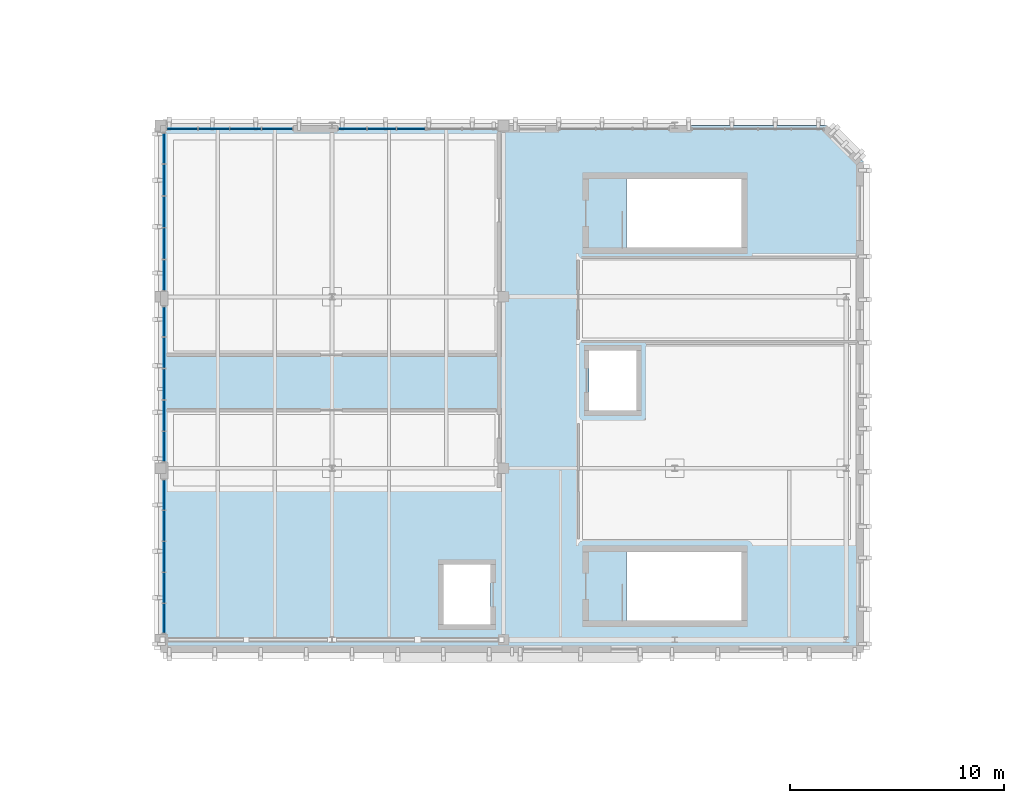
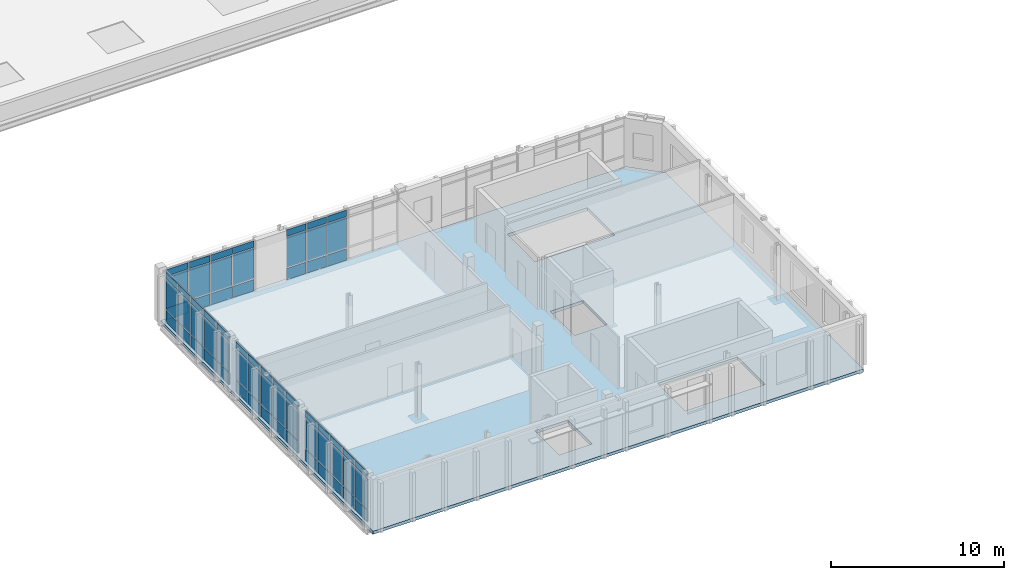
# One storey, part 13 of 28: 66 plates, 1 slab, 5 elements without a shape of their own.
"""IFC4 building model written with IfcOpenShell, lengths in metres."""

from ifc_helpers import new_model, si_unit, direction, frame, origin, origin_2d, place, context, subcontext, project, spatial, polyline, rectangle, outline, extrude, material, layer, layer_set, type_object, element, aggregate, save


model = new_model("IFC4")

# Units and contexts
model_context = context("Model", 3, precision=1e-05, world=origin(), true_north=direction((0.0, 1.0)))
body_context = subcontext(model_context, "Body", "Model", "MODEL_VIEW")
ifc_project = project(units=[si_unit("LENGTHUNIT", "METRE"), si_unit("AREAUNIT", "SQUARE_METRE"), si_unit("VOLUMEUNIT", "CUBIC_METRE"), si_unit("PLANEANGLEUNIT", "RADIAN"), si_unit("MASSUNIT", "GRAM", prefix="KILO")], contexts=[model_context])

# Site, building, storey
site_placement = place(None, origin())
site = spatial("IfcSite", under=ifc_project, at=site_placement, CompositionType="ELEMENT")
building_placement = place(site_placement, origin())
building = spatial("IfcBuilding", under=site, at=building_placement, Name="Cymarion Research Institute", CompositionType="ELEMENT")
storey_placement = place(building_placement, frame((0.0, 0.0, 30.60009765625)))
storey = spatial("IfcBuildingStorey", under=building, at=storey_placement, Name="L07", CompositionType="ELEMENT", Elevation=30.60009765625)

# Slab
ifc_material_1 = material(Name="Concrete C35/45", Category="concrete")
ifc_layer_1 = layer(ifc_material_1, 0.219970703125)
ifc_layer_set_1 = layer_set([ifc_layer_1], Name="Concrete C35/45")
slab_type = type_object("IfcSlabType", Name="COMPOSITE FLOOR SLAB SL-FL220 220MM", PredefinedType="FLOOR", material=ifc_layer_set_1)
slab_placement = place(storey_placement, frame((0.0, 0.0, -0.22021484375)))
element("IfcSlab", 1, at=slab_placement, inside=storey, type_object=slab_type, Name="L07 V4 floor slab", PredefinedType="FLOOR", context=body_context, shape_type="SweptSolid", body=[
    extrude(outline(polyline([(14.60009765625, 46.89990234375), (47.39990234375, 46.89990234375), (47.39990234375, 69.800048828125), (45.699951171875, 71.5), (14.60009765625, 71.5), (14.60009765625, 46.89990234375)]), holes=[polyline([(36.340087890625, 48.39990234375), (41.699951171875, 48.39990234375), (41.699951171875, 51.60009765625), (36.340087890625, 51.60009765625), (36.340087890625, 48.39990234375)]), polyline([(27.800048828125, 48.199951171875), (30.0, 48.199951171875), (30.0, 51.0), (27.800048828125, 51.0), (27.800048828125, 48.199951171875)]), polyline([(36.340087890625, 65.800048828125), (41.699951171875, 65.800048828125), (41.699951171875, 69.0), (36.340087890625, 69.0), (36.340087890625, 65.800048828125)]), polyline([(34.60009765625, 58.199951171875), (36.800048828125, 58.199951171875), (36.800048828125, 61.0), (34.60009765625, 61.0), (34.60009765625, 58.199951171875)])]), origin(), (0.0, 0.0, 1.0), 0.22021484375),
])

# Curtain wall, plates
ifc_material_2 = material(Name="Anodised aluminium unitised curtain wall with Low-E glazing", Category="aluminium")
curtain_wall_type_1 = type_object("IfcCurtainWallType", Name="UNITISED CURTAIN WALL CW73 4130X3660", PredefinedType="NOTDEFINED", material=ifc_material_2)
curtain_wall_1_placement = place(storey_placement, origin())
curtain_wall_1 = element("IfcCurtainWall", 2, at=curtain_wall_1_placement, inside=storey, type_object=curtain_wall_type_1, Name="L07 V4 unitised curtain wall CW73 #238", PredefinedType="NOTDEFINED")
ifc_material_3 = material(Name="Insulated anodised aluminium spandrel panel", Category="aluminium")
ifc_layer_2 = layer(ifc_material_3, 0.06005859375)
ifc_layer_set_2 = layer_set([ifc_layer_2], Name="Insulated anodised aluminium spandrel panel")
plate_type_1 = type_object("IfcPlateType", Name="INSULATED ALUMINIUM SPANDREL PANEL SP01 60MM", PredefinedType="SHEET", material=ifc_layer_set_2)
plate_1_placement = place(storey_placement, frame((26.287353515625, 71.330078125, 0.059814453125), z_axis=(0.0, 0.0, 1.0), x_axis=(-1.0, 0.0, 0.0)))
plate_1 = element("IfcPlate", 3, at=plate_1_placement, type_object=plate_type_1, Name="CW73 panel 1.1", PredefinedType="SHEET", context=body_context, shape_type="SweptSolid", body=[
    extrude(rectangle(XDim=1.286865234375, YDim=0.06005859375, at=origin_2d()), origin(), (0.0, 0.0, 1.0), 0.81005859375),
])
plate_2_placement = place(storey_placement, frame((26.287353515625, 71.330078125, 3.139892578125), z_axis=(0.0, 0.0, 1.0), x_axis=(-1.0, 0.0, 0.0)))
plate_2 = element("IfcPlate", 4, at=plate_2_placement, type_object=plate_type_1, Name="CW73 panel 1.3", PredefinedType="SHEET", context=body_context, shape_type="SweptSolid", body=[
    extrude(rectangle(XDim=1.286865234375, YDim=0.06005859375, at=origin_2d()), origin(), (0.0, 0.0, 1.0), 0.4599609375),
])
plate_3_placement = place(storey_placement, frame((24.925537109375, 71.330078125, 0.059814453125), z_axis=(0.0, 0.0, 1.0), x_axis=(-1.0, 0.0, 0.0)))
plate_3 = element("IfcPlate", 5, at=plate_3_placement, type_object=plate_type_1, Name="CW73 panel 2.1", PredefinedType="SHEET", context=body_context, shape_type="SweptSolid", body=[
    extrude(rectangle(XDim=1.31689453125, YDim=0.06005859375, at=origin_2d()), origin(), (0.0, 0.0, 1.0), 0.81005859375),
])
plate_4_placement = place(storey_placement, frame((24.925537109375, 71.330078125, 3.139892578125), z_axis=(0.0, 0.0, 1.0), x_axis=(-1.0, 0.0, 0.0)))
plate_4 = element("IfcPlate", 6, at=plate_4_placement, type_object=plate_type_1, Name="CW73 panel 2.3", PredefinedType="SHEET", context=body_context, shape_type="SweptSolid", body=[
    extrude(rectangle(XDim=1.31689453125, YDim=0.06005859375, at=origin_2d()), origin(), (0.0, 0.0, 1.0), 0.4599609375),
])
plate_5_placement = place(storey_placement, frame((23.5634765625, 71.330078125, 0.059814453125), z_axis=(0.0, 0.0, 1.0), x_axis=(-1.0, 0.0, 0.0)))
plate_5 = element("IfcPlate", 7, at=plate_5_placement, type_object=plate_type_1, Name="CW73 panel 3.1", PredefinedType="SHEET", context=body_context, shape_type="SweptSolid", body=[
    extrude(rectangle(XDim=1.286865234375, YDim=0.06005859375, at=origin_2d()), origin(), (0.0, 0.0, 1.0), 0.81005859375),
])
plate_6_placement = place(storey_placement, frame((23.5634765625, 71.330078125, 3.139892578125), z_axis=(0.0, 0.0, 1.0), x_axis=(-1.0, 0.0, 0.0)))
plate_6 = element("IfcPlate", 8, at=plate_6_placement, type_object=plate_type_1, Name="CW73 panel 3.3", PredefinedType="SHEET", context=body_context, shape_type="SweptSolid", body=[
    extrude(rectangle(XDim=1.286865234375, YDim=0.06005859375, at=origin_2d()), origin(), (0.0, 0.0, 1.0), 0.4599609375),
])

curtain_wall_type_2 = type_object("IfcCurtainWallType", Name="UNITISED CURTAIN WALL CW74 5930X3660", PredefinedType="NOTDEFINED", material=ifc_material_2)
curtain_wall_2_placement = place(storey_placement, origin())
curtain_wall_2 = element("IfcCurtainWall", 9, at=curtain_wall_2_placement, inside=storey, type_object=curtain_wall_type_2, Name="L07 V4 unitised curtain wall CW74 #239", PredefinedType="NOTDEFINED")
plate_7_placement = place(storey_placement, frame((20.03857421875, 71.330078125, 0.059814453125), z_axis=(0.0, 0.0, 1.0), x_axis=(-1.0, 0.0, 0.0)))
plate_7 = element("IfcPlate", 10, at=plate_7_placement, type_object=plate_type_1, Name="CW74 panel 1.1", PredefinedType="SHEET", context=body_context, shape_type="SweptSolid", body=[
    extrude(rectangle(XDim=1.393798828125, YDim=0.06005859375, at=origin_2d()), origin(), (0.0, 0.0, 1.0), 0.81005859375),
])
plate_8_placement = place(storey_placement, frame((20.03857421875, 71.330078125, 3.139892578125), z_axis=(0.0, 0.0, 1.0), x_axis=(-1.0, 0.0, 0.0)))
plate_8 = element("IfcPlate", 11, at=plate_8_placement, type_object=plate_type_1, Name="CW74 panel 1.3", PredefinedType="SHEET", context=body_context, shape_type="SweptSolid", body=[
    extrude(rectangle(XDim=1.393798828125, YDim=0.06005859375, at=origin_2d()), origin(), (0.0, 0.0, 1.0), 0.4599609375),
])
plate_9_placement = place(storey_placement, frame((18.569580078125, 71.330078125, 0.059814453125), z_axis=(0.0, 0.0, 1.0), x_axis=(-1.0, 0.0, 0.0)))
plate_9 = element("IfcPlate", 12, at=plate_9_placement, type_object=plate_type_1, Name="CW74 panel 2.1", PredefinedType="SHEET", context=body_context, shape_type="SweptSolid", body=[
    extrude(rectangle(XDim=1.423828125, YDim=0.06005859375, at=origin_2d()), origin(), (0.0, 0.0, 1.0), 0.81005859375),
])
plate_10_placement = place(storey_placement, frame((18.569580078125, 71.330078125, 3.139892578125), z_axis=(0.0, 0.0, 1.0), x_axis=(-1.0, 0.0, 0.0)))
plate_10 = element("IfcPlate", 13, at=plate_10_placement, type_object=plate_type_1, Name="CW74 panel 2.3", PredefinedType="SHEET", context=body_context, shape_type="SweptSolid", body=[
    extrude(rectangle(XDim=1.423828125, YDim=0.06005859375, at=origin_2d()), origin(), (0.0, 0.0, 1.0), 0.4599609375),
])
plate_11_placement = place(storey_placement, frame((17.085693359375, 71.330078125, 0.059814453125), z_axis=(0.0, 0.0, 1.0), x_axis=(-1.0, 0.0, 0.0)))
plate_11 = element("IfcPlate", 14, at=plate_11_placement, type_object=plate_type_1, Name="CW74 panel 3.1", PredefinedType="SHEET", context=body_context, shape_type="SweptSolid", body=[
    extrude(rectangle(XDim=1.423828125, YDim=0.06005859375, at=origin_2d()), origin(), (0.0, 0.0, 1.0), 0.81005859375),
])
plate_12_placement = place(storey_placement, frame((17.085693359375, 71.330078125, 3.139892578125), z_axis=(0.0, 0.0, 1.0), x_axis=(-1.0, 0.0, 0.0)))
plate_12 = element("IfcPlate", 15, at=plate_12_placement, type_object=plate_type_1, Name="CW74 panel 3.3", PredefinedType="SHEET", context=body_context, shape_type="SweptSolid", body=[
    extrude(rectangle(XDim=1.423828125, YDim=0.06005859375, at=origin_2d()), origin(), (0.0, 0.0, 1.0), 0.4599609375),
])
plate_13_placement = place(storey_placement, frame((15.616943359375, 71.330078125, 0.059814453125), z_axis=(0.0, 0.0, 1.0), x_axis=(-1.0, 0.0, 0.0)))
plate_13 = element("IfcPlate", 16, at=plate_13_placement, type_object=plate_type_1, Name="CW74 panel 4.1", PredefinedType="SHEET", context=body_context, shape_type="SweptSolid", body=[
    extrude(rectangle(XDim=1.393798828125, YDim=0.06005859375, at=origin_2d()), origin(), (0.0, 0.0, 1.0), 0.81005859375),
])
plate_14_placement = place(storey_placement, frame((15.616943359375, 71.330078125, 3.139892578125), z_axis=(0.0, 0.0, 1.0), x_axis=(-1.0, 0.0, 0.0)))
plate_14 = element("IfcPlate", 17, at=plate_14_placement, type_object=plate_type_1, Name="CW74 panel 4.3", PredefinedType="SHEET", context=body_context, shape_type="SweptSolid", body=[
    extrude(rectangle(XDim=1.393798828125, YDim=0.06005859375, at=origin_2d()), origin(), (0.0, 0.0, 1.0), 0.4599609375),
])

curtain_wall_type_3 = type_object("IfcCurtainWallType", Name="UNITISED CURTAIN WALL CW75 7420X3660", PredefinedType="NOTDEFINED", material=ifc_material_2)
curtain_wall_3_placement = place(storey_placement, origin())
curtain_wall_3 = element("IfcCurtainWall", 18, at=curtain_wall_3_placement, inside=storey, type_object=curtain_wall_type_3, Name="L07 V4 unitised curtain wall CW75 #240", PredefinedType="NOTDEFINED")
plate_15_placement = place(storey_placement, frame((14.77001953125, 70.421142578125, 0.059814453125), z_axis=(0.0, 0.0, 1.0), x_axis=(0.0, -1.0, 0.0)))
plate_15 = element("IfcPlate", 19, at=plate_15_placement, type_object=plate_type_1, Name="CW75 panel 1.1", PredefinedType="SHEET", context=body_context, shape_type="SweptSolid", body=[
    extrude(rectangle(XDim=1.3935546875, YDim=0.06005859375, at=origin_2d()), origin(), (0.0, 0.0, 1.0), 0.81005859375),
])
plate_16_placement = place(storey_placement, frame((14.77001953125, 70.421142578125, 3.139892578125), z_axis=(0.0, 0.0, 1.0), x_axis=(0.0, -1.0, 0.0)))
plate_16 = element("IfcPlate", 20, at=plate_16_placement, type_object=plate_type_1, Name="CW75 panel 1.3", PredefinedType="SHEET", context=body_context, shape_type="SweptSolid", body=[
    extrude(rectangle(XDim=1.3935546875, YDim=0.06005859375, at=origin_2d()), origin(), (0.0, 0.0, 1.0), 0.4599609375),
])
plate_17_placement = place(storey_placement, frame((14.77001953125, 68.95263671875, 0.059814453125), z_axis=(0.0, 0.0, 1.0), x_axis=(0.0, -1.0, 0.0)))
plate_17 = element("IfcPlate", 21, at=plate_17_placement, type_object=plate_type_1, Name="CW75 panel 2.1", PredefinedType="SHEET", context=body_context, shape_type="SweptSolid", body=[
    extrude(rectangle(XDim=1.423583984375, YDim=0.06005859375, at=origin_2d()), origin(), (0.0, 0.0, 1.0), 0.81005859375),
])
plate_18_placement = place(storey_placement, frame((14.77001953125, 68.95263671875, 3.139892578125), z_axis=(0.0, 0.0, 1.0), x_axis=(0.0, -1.0, 0.0)))
plate_18 = element("IfcPlate", 22, at=plate_18_placement, type_object=plate_type_1, Name="CW75 panel 2.3", PredefinedType="SHEET", context=body_context, shape_type="SweptSolid", body=[
    extrude(rectangle(XDim=1.423583984375, YDim=0.06005859375, at=origin_2d()), origin(), (0.0, 0.0, 1.0), 0.4599609375),
])
plate_19_placement = place(storey_placement, frame((14.77001953125, 67.468994140625, 0.059814453125), z_axis=(0.0, 0.0, 1.0), x_axis=(0.0, -1.0, 0.0)))
plate_19 = element("IfcPlate", 23, at=plate_19_placement, type_object=plate_type_1, Name="CW75 panel 3.1", PredefinedType="SHEET", context=body_context, shape_type="SweptSolid", body=[
    extrude(rectangle(XDim=1.423583984375, YDim=0.06005859375, at=origin_2d()), origin(), (0.0, 0.0, 1.0), 0.81005859375),
])
plate_20_placement = place(storey_placement, frame((14.77001953125, 67.468994140625, 3.139892578125), z_axis=(0.0, 0.0, 1.0), x_axis=(0.0, -1.0, 0.0)))
plate_20 = element("IfcPlate", 24, at=plate_20_placement, type_object=plate_type_1, Name="CW75 panel 3.3", PredefinedType="SHEET", context=body_context, shape_type="SweptSolid", body=[
    extrude(rectangle(XDim=1.423583984375, YDim=0.06005859375, at=origin_2d()), origin(), (0.0, 0.0, 1.0), 0.4599609375),
])
plate_21_placement = place(storey_placement, frame((14.77001953125, 65.9853515625, 0.059814453125), z_axis=(0.0, 0.0, 1.0), x_axis=(0.0, -1.0, 0.0)))
plate_21 = element("IfcPlate", 25, at=plate_21_placement, type_object=plate_type_1, Name="CW75 panel 4.1", PredefinedType="SHEET", context=body_context, shape_type="SweptSolid", body=[
    extrude(rectangle(XDim=1.423583984375, YDim=0.06005859375, at=origin_2d()), origin(), (0.0, 0.0, 1.0), 0.81005859375),
])
plate_22_placement = place(storey_placement, frame((14.77001953125, 65.9853515625, 3.139892578125), z_axis=(0.0, 0.0, 1.0), x_axis=(0.0, -1.0, 0.0)))
plate_22 = element("IfcPlate", 26, at=plate_22_placement, type_object=plate_type_1, Name="CW75 panel 4.3", PredefinedType="SHEET", context=body_context, shape_type="SweptSolid", body=[
    extrude(rectangle(XDim=1.423583984375, YDim=0.06005859375, at=origin_2d()), origin(), (0.0, 0.0, 1.0), 0.4599609375),
])
plate_23_placement = place(storey_placement, frame((14.77001953125, 64.516845703125, 0.059814453125), z_axis=(0.0, 0.0, 1.0), x_axis=(0.0, -1.0, 0.0)))
plate_23 = element("IfcPlate", 27, at=plate_23_placement, type_object=plate_type_1, Name="CW75 panel 5.1", PredefinedType="SHEET", context=body_context, shape_type="SweptSolid", body=[
    extrude(rectangle(XDim=1.3935546875, YDim=0.06005859375, at=origin_2d()), origin(), (0.0, 0.0, 1.0), 0.81005859375),
])
plate_24_placement = place(storey_placement, frame((14.77001953125, 64.516845703125, 3.139892578125), z_axis=(0.0, 0.0, 1.0), x_axis=(0.0, -1.0, 0.0)))
plate_24 = element("IfcPlate", 28, at=plate_24_placement, type_object=plate_type_1, Name="CW75 panel 5.3", PredefinedType="SHEET", context=body_context, shape_type="SweptSolid", body=[
    extrude(rectangle(XDim=1.3935546875, YDim=0.06005859375, at=origin_2d()), origin(), (0.0, 0.0, 1.0), 0.4599609375),
])

curtain_wall_type_4 = type_object("IfcCurtainWallType", Name="UNITISED CURTAIN WALL CW76 7330X3660", PredefinedType="NOTDEFINED", material=ifc_material_2)
curtain_wall_4_placement = place(storey_placement, origin())
curtain_wall_4 = element("IfcCurtainWall", 29, at=curtain_wall_4_placement, inside=storey, type_object=curtain_wall_type_4, Name="L07 V4 unitised curtain wall CW76 #241", PredefinedType="NOTDEFINED")
plate_25_placement = place(storey_placement, frame((14.77001953125, 62.337890625, 0.059814453125), z_axis=(0.0, 0.0, 1.0), x_axis=(0.0, -1.0, 0.0)))
plate_25 = element("IfcPlate", 30, at=plate_25_placement, type_object=plate_type_1, Name="CW76 panel 1.1", PredefinedType="SHEET", context=body_context, shape_type="SweptSolid", body=[
    extrude(rectangle(XDim=1.375, YDim=0.06005859375, at=origin_2d()), origin(), (0.0, 0.0, 1.0), 0.81005859375),
])
plate_26_placement = place(storey_placement, frame((14.77001953125, 62.337890625, 3.139892578125), z_axis=(0.0, 0.0, 1.0), x_axis=(0.0, -1.0, 0.0)))
plate_26 = element("IfcPlate", 31, at=plate_26_placement, type_object=plate_type_1, Name="CW76 panel 1.3", PredefinedType="SHEET", context=body_context, shape_type="SweptSolid", body=[
    extrude(rectangle(XDim=1.375, YDim=0.06005859375, at=origin_2d()), origin(), (0.0, 0.0, 1.0), 0.4599609375),
])
plate_27_placement = place(storey_placement, frame((14.77001953125, 60.8876953125, 0.059814453125), z_axis=(0.0, 0.0, 1.0), x_axis=(0.0, -1.0, 0.0)))
plate_27 = element("IfcPlate", 32, at=plate_27_placement, type_object=plate_type_1, Name="CW76 panel 2.1", PredefinedType="SHEET", context=body_context, shape_type="SweptSolid", body=[
    extrude(rectangle(XDim=1.405029296875, YDim=0.06005859375, at=origin_2d()), origin(), (0.0, 0.0, 1.0), 0.81005859375),
])
plate_28_placement = place(storey_placement, frame((14.77001953125, 60.8876953125, 3.139892578125), z_axis=(0.0, 0.0, 1.0), x_axis=(0.0, -1.0, 0.0)))
plate_28 = element("IfcPlate", 33, at=plate_28_placement, type_object=plate_type_1, Name="CW76 panel 2.3", PredefinedType="SHEET", context=body_context, shape_type="SweptSolid", body=[
    extrude(rectangle(XDim=1.405029296875, YDim=0.06005859375, at=origin_2d()), origin(), (0.0, 0.0, 1.0), 0.4599609375),
])
plate_29_placement = place(storey_placement, frame((14.77001953125, 59.422607421875, 0.059814453125), z_axis=(0.0, 0.0, 1.0), x_axis=(0.0, -1.0, 0.0)))
plate_29 = element("IfcPlate", 34, at=plate_29_placement, type_object=plate_type_1, Name="CW76 panel 3.1", PredefinedType="SHEET", context=body_context, shape_type="SweptSolid", body=[
    extrude(rectangle(XDim=1.405029296875, YDim=0.06005859375, at=origin_2d()), origin(), (0.0, 0.0, 1.0), 0.81005859375),
])
plate_30_placement = place(storey_placement, frame((14.77001953125, 59.422607421875, 3.139892578125), z_axis=(0.0, 0.0, 1.0), x_axis=(0.0, -1.0, 0.0)))
plate_30 = element("IfcPlate", 35, at=plate_30_placement, type_object=plate_type_1, Name="CW76 panel 3.3", PredefinedType="SHEET", context=body_context, shape_type="SweptSolid", body=[
    extrude(rectangle(XDim=1.405029296875, YDim=0.06005859375, at=origin_2d()), origin(), (0.0, 0.0, 1.0), 0.4599609375),
])
plate_31_placement = place(storey_placement, frame((14.77001953125, 57.95751953125, 0.059814453125), z_axis=(0.0, 0.0, 1.0), x_axis=(0.0, -1.0, 0.0)))
plate_31 = element("IfcPlate", 36, at=plate_31_placement, type_object=plate_type_1, Name="CW76 panel 4.1", PredefinedType="SHEET", context=body_context, shape_type="SweptSolid", body=[
    extrude(rectangle(XDim=1.405029296875, YDim=0.06005859375, at=origin_2d()), origin(), (0.0, 0.0, 1.0), 0.81005859375),
])
plate_32_placement = place(storey_placement, frame((14.77001953125, 57.95751953125, 3.139892578125), z_axis=(0.0, 0.0, 1.0), x_axis=(0.0, -1.0, 0.0)))
plate_32 = element("IfcPlate", 37, at=plate_32_placement, type_object=plate_type_1, Name="CW76 panel 4.3", PredefinedType="SHEET", context=body_context, shape_type="SweptSolid", body=[
    extrude(rectangle(XDim=1.405029296875, YDim=0.06005859375, at=origin_2d()), origin(), (0.0, 0.0, 1.0), 0.4599609375),
])
plate_33_placement = place(storey_placement, frame((14.77001953125, 56.507568359375, 0.059814453125), z_axis=(0.0, 0.0, 1.0), x_axis=(0.0, -1.0, 0.0)))
plate_33 = element("IfcPlate", 38, at=plate_33_placement, type_object=plate_type_1, Name="CW76 panel 5.1", PredefinedType="SHEET", context=body_context, shape_type="SweptSolid", body=[
    extrude(rectangle(XDim=1.375, YDim=0.06005859375, at=origin_2d()), origin(), (0.0, 0.0, 1.0), 0.81005859375),
])
plate_34_placement = place(storey_placement, frame((14.77001953125, 56.507568359375, 3.139892578125), z_axis=(0.0, 0.0, 1.0), x_axis=(0.0, -1.0, 0.0)))
plate_34 = element("IfcPlate", 39, at=plate_34_placement, type_object=plate_type_1, Name="CW76 panel 5.3", PredefinedType="SHEET", context=body_context, shape_type="SweptSolid", body=[
    extrude(rectangle(XDim=1.375, YDim=0.06005859375, at=origin_2d()), origin(), (0.0, 0.0, 1.0), 0.4599609375),
])

curtain_wall_type_5 = type_object("IfcCurtainWallType", Name="UNITISED CURTAIN WALL CW77 7230X3660", PredefinedType="NOTDEFINED", material=ifc_material_2)
curtain_wall_5_placement = place(storey_placement, origin())
curtain_wall_5 = element("IfcCurtainWall", 40, at=curtain_wall_5_placement, inside=storey, type_object=curtain_wall_type_5, Name="L07 V4 unitised curtain wall CW77 #242", PredefinedType="NOTDEFINED")
plate_35_placement = place(storey_placement, frame((14.77001953125, 54.25439453125, 0.059814453125), z_axis=(0.0, 0.0, 1.0), x_axis=(0.0, -1.0, 0.0)))
plate_35 = element("IfcPlate", 41, at=plate_35_placement, type_object=plate_type_1, Name="CW77 panel 1.1", PredefinedType="SHEET", context=body_context, shape_type="SweptSolid", body=[
    extrude(rectangle(XDim=1.3564453125, YDim=0.06005859375, at=origin_2d()), origin(), (0.0, 0.0, 1.0), 0.81005859375),
])
plate_36_placement = place(storey_placement, frame((14.77001953125, 54.25439453125, 3.139892578125), z_axis=(0.0, 0.0, 1.0), x_axis=(0.0, -1.0, 0.0)))
plate_36 = element("IfcPlate", 42, at=plate_36_placement, type_object=plate_type_1, Name="CW77 panel 1.3", PredefinedType="SHEET", context=body_context, shape_type="SweptSolid", body=[
    extrude(rectangle(XDim=1.3564453125, YDim=0.06005859375, at=origin_2d()), origin(), (0.0, 0.0, 1.0), 0.4599609375),
])
plate_37_placement = place(storey_placement, frame((14.77001953125, 52.822998046875, 0.059814453125), z_axis=(0.0, 0.0, 1.0), x_axis=(0.0, -1.0, 0.0)))
plate_37 = element("IfcPlate", 43, at=plate_37_placement, type_object=plate_type_1, Name="CW77 panel 2.1", PredefinedType="SHEET", context=body_context, shape_type="SweptSolid", body=[
    extrude(rectangle(XDim=1.386474609375, YDim=0.06005859375, at=origin_2d()), origin(), (0.0, 0.0, 1.0), 0.81005859375),
])
plate_38_placement = place(storey_placement, frame((14.77001953125, 52.822998046875, 3.139892578125), z_axis=(0.0, 0.0, 1.0), x_axis=(0.0, -1.0, 0.0)))
plate_38 = element("IfcPlate", 44, at=plate_38_placement, type_object=plate_type_1, Name="CW77 panel 2.3", PredefinedType="SHEET", context=body_context, shape_type="SweptSolid", body=[
    extrude(rectangle(XDim=1.386474609375, YDim=0.06005859375, at=origin_2d()), origin(), (0.0, 0.0, 1.0), 0.4599609375),
])
plate_39_placement = place(storey_placement, frame((14.77001953125, 51.37646484375, 0.059814453125), z_axis=(0.0, 0.0, 1.0), x_axis=(0.0, -1.0, 0.0)))
plate_39 = element("IfcPlate", 45, at=plate_39_placement, type_object=plate_type_1, Name="CW77 panel 3.1", PredefinedType="SHEET", context=body_context, shape_type="SweptSolid", body=[
    extrude(rectangle(XDim=1.386474609375, YDim=0.06005859375, at=origin_2d()), origin(), (0.0, 0.0, 1.0), 0.81005859375),
])
plate_40_placement = place(storey_placement, frame((14.77001953125, 51.37646484375, 3.139892578125), z_axis=(0.0, 0.0, 1.0), x_axis=(0.0, -1.0, 0.0)))
plate_40 = element("IfcPlate", 46, at=plate_40_placement, type_object=plate_type_1, Name="CW77 panel 3.3", PredefinedType="SHEET", context=body_context, shape_type="SweptSolid", body=[
    extrude(rectangle(XDim=1.386474609375, YDim=0.06005859375, at=origin_2d()), origin(), (0.0, 0.0, 1.0), 0.4599609375),
])
plate_41_placement = place(storey_placement, frame((14.77001953125, 49.929931640625, 0.059814453125), z_axis=(0.0, 0.0, 1.0), x_axis=(0.0, -1.0, 0.0)))
plate_41 = element("IfcPlate", 47, at=plate_41_placement, type_object=plate_type_1, Name="CW77 panel 4.1", PredefinedType="SHEET", context=body_context, shape_type="SweptSolid", body=[
    extrude(rectangle(XDim=1.386474609375, YDim=0.06005859375, at=origin_2d()), origin(), (0.0, 0.0, 1.0), 0.81005859375),
])
plate_42_placement = place(storey_placement, frame((14.77001953125, 49.929931640625, 3.139892578125), z_axis=(0.0, 0.0, 1.0), x_axis=(0.0, -1.0, 0.0)))
plate_42 = element("IfcPlate", 48, at=plate_42_placement, type_object=plate_type_1, Name="CW77 panel 4.3", PredefinedType="SHEET", context=body_context, shape_type="SweptSolid", body=[
    extrude(rectangle(XDim=1.386474609375, YDim=0.06005859375, at=origin_2d()), origin(), (0.0, 0.0, 1.0), 0.4599609375),
])
plate_43_placement = place(storey_placement, frame((14.77001953125, 48.498291015625, 0.059814453125), z_axis=(0.0, 0.0, 1.0), x_axis=(0.0, -1.0, 0.0)))
plate_43 = element("IfcPlate", 49, at=plate_43_placement, type_object=plate_type_1, Name="CW77 panel 5.1", PredefinedType="SHEET", context=body_context, shape_type="SweptSolid", body=[
    extrude(rectangle(XDim=1.3564453125, YDim=0.06005859375, at=origin_2d()), origin(), (0.0, 0.0, 1.0), 0.81005859375),
])
plate_44_placement = place(storey_placement, frame((14.77001953125, 48.498291015625, 3.139892578125), z_axis=(0.0, 0.0, 1.0), x_axis=(0.0, -1.0, 0.0)))
plate_44 = element("IfcPlate", 50, at=plate_44_placement, type_object=plate_type_1, Name="CW77 panel 5.3", PredefinedType="SHEET", context=body_context, shape_type="SweptSolid", body=[
    extrude(rectangle(XDim=1.3564453125, YDim=0.06005859375, at=origin_2d()), origin(), (0.0, 0.0, 1.0), 0.4599609375),
])

# Plate
ifc_material_4 = material(Name="Low-E double solar-control glazing", Category="glass")
ifc_layer_3 = layer(ifc_material_4, 0.035888671875)
ifc_layer_set_3 = layer_set([ifc_layer_3], Name="Low-E double solar-control glazing")
plate_type_2 = type_object("IfcPlateType", Name="SOLAR CONTROL GLAZED VISION PANEL GP01 36MM", PredefinedType="CURTAIN_PANEL", material=ifc_layer_set_3)
plate_45_placement = place(storey_placement, frame((26.287353515625, 71.330078125, 0.929931640625), z_axis=(0.0, 0.0, 1.0), x_axis=(-1.0, 0.0, 0.0)))
plate_45 = element("IfcPlate", 51, at=plate_45_placement, type_object=plate_type_2, Name="CW73 panel 1.2", PredefinedType="CURTAIN_PANEL", context=body_context, shape_type="SweptSolid", body=[
    extrude(rectangle(XDim=1.286865234375, YDim=0.035888671875, at=origin_2d()), origin(), (0.0, 0.0, 1.0), 2.14990234375),
])

plate_46_placement = place(storey_placement, frame((24.925537109375, 71.330078125, 0.929931640625), z_axis=(0.0, 0.0, 1.0), x_axis=(-1.0, 0.0, 0.0)))
plate_46 = element("IfcPlate", 52, at=plate_46_placement, type_object=plate_type_2, Name="CW73 panel 2.2", PredefinedType="CURTAIN_PANEL", context=body_context, shape_type="SweptSolid", body=[
    extrude(rectangle(XDim=1.31689453125, YDim=0.035888671875, at=origin_2d()), origin(), (0.0, 0.0, 1.0), 2.14990234375),
])

plate_47_placement = place(storey_placement, frame((23.5634765625, 71.330078125, 0.929931640625), z_axis=(0.0, 0.0, 1.0), x_axis=(-1.0, 0.0, 0.0)))
plate_47 = element("IfcPlate", 53, at=plate_47_placement, type_object=plate_type_2, Name="CW73 panel 3.2", PredefinedType="CURTAIN_PANEL", context=body_context, shape_type="SweptSolid", body=[
    extrude(rectangle(XDim=1.286865234375, YDim=0.035888671875, at=origin_2d()), origin(), (0.0, 0.0, 1.0), 2.14990234375),
])

aggregate(curtain_wall_1, [plate_1, plate_45, plate_2, plate_3, plate_46, plate_4, plate_5, plate_47, plate_6])

plate_48_placement = place(storey_placement, frame((20.03857421875, 71.330078125, 0.929931640625), z_axis=(0.0, 0.0, 1.0), x_axis=(-1.0, 0.0, 0.0)))
plate_48 = element("IfcPlate", 54, at=plate_48_placement, type_object=plate_type_2, Name="CW74 panel 1.2", PredefinedType="CURTAIN_PANEL", context=body_context, shape_type="SweptSolid", body=[
    extrude(rectangle(XDim=1.393798828125, YDim=0.035888671875, at=origin_2d()), origin(), (0.0, 0.0, 1.0), 2.14990234375),
])

plate_49_placement = place(storey_placement, frame((18.569580078125, 71.330078125, 0.929931640625), z_axis=(0.0, 0.0, 1.0), x_axis=(-1.0, 0.0, 0.0)))
plate_49 = element("IfcPlate", 55, at=plate_49_placement, type_object=plate_type_2, Name="CW74 panel 2.2", PredefinedType="CURTAIN_PANEL", context=body_context, shape_type="SweptSolid", body=[
    extrude(rectangle(XDim=1.423828125, YDim=0.035888671875, at=origin_2d()), origin(), (0.0, 0.0, 1.0), 2.14990234375),
])

plate_50_placement = place(storey_placement, frame((17.085693359375, 71.330078125, 0.929931640625), z_axis=(0.0, 0.0, 1.0), x_axis=(-1.0, 0.0, 0.0)))
plate_50 = element("IfcPlate", 56, at=plate_50_placement, type_object=plate_type_2, Name="CW74 panel 3.2", PredefinedType="CURTAIN_PANEL", context=body_context, shape_type="SweptSolid", body=[
    extrude(rectangle(XDim=1.423828125, YDim=0.035888671875, at=origin_2d()), origin(), (0.0, 0.0, 1.0), 2.14990234375),
])

plate_51_placement = place(storey_placement, frame((15.616943359375, 71.330078125, 0.929931640625), z_axis=(0.0, 0.0, 1.0), x_axis=(-1.0, 0.0, 0.0)))
plate_51 = element("IfcPlate", 57, at=plate_51_placement, type_object=plate_type_2, Name="CW74 panel 4.2", PredefinedType="CURTAIN_PANEL", context=body_context, shape_type="SweptSolid", body=[
    extrude(rectangle(XDim=1.393798828125, YDim=0.035888671875, at=origin_2d()), origin(), (0.0, 0.0, 1.0), 2.14990234375),
])

aggregate(curtain_wall_2, [plate_7, plate_48, plate_8, plate_9, plate_49, plate_10, plate_11, plate_50, plate_12, plate_13, plate_51, plate_14])

plate_52_placement = place(storey_placement, frame((14.77001953125, 70.421142578125, 0.929931640625), z_axis=(0.0, 0.0, 1.0), x_axis=(0.0, -1.0, 0.0)))
plate_52 = element("IfcPlate", 58, at=plate_52_placement, type_object=plate_type_2, Name="CW75 panel 1.2", PredefinedType="CURTAIN_PANEL", context=body_context, shape_type="SweptSolid", body=[
    extrude(rectangle(XDim=1.3935546875, YDim=0.035888671875, at=origin_2d()), origin(), (0.0, 0.0, 1.0), 2.14990234375),
])

plate_53_placement = place(storey_placement, frame((14.77001953125, 68.95263671875, 0.929931640625), z_axis=(0.0, 0.0, 1.0), x_axis=(0.0, -1.0, 0.0)))
plate_53 = element("IfcPlate", 59, at=plate_53_placement, type_object=plate_type_2, Name="CW75 panel 2.2", PredefinedType="CURTAIN_PANEL", context=body_context, shape_type="SweptSolid", body=[
    extrude(rectangle(XDim=1.423583984375, YDim=0.035888671875, at=origin_2d()), origin(), (0.0, 0.0, 1.0), 2.14990234375),
])

plate_54_placement = place(storey_placement, frame((14.77001953125, 67.468994140625, 0.929931640625), z_axis=(0.0, 0.0, 1.0), x_axis=(0.0, -1.0, 0.0)))
plate_54 = element("IfcPlate", 60, at=plate_54_placement, type_object=plate_type_2, Name="CW75 panel 3.2", PredefinedType="CURTAIN_PANEL", context=body_context, shape_type="SweptSolid", body=[
    extrude(rectangle(XDim=1.423583984375, YDim=0.035888671875, at=origin_2d()), origin(), (0.0, 0.0, 1.0), 2.14990234375),
])

plate_55_placement = place(storey_placement, frame((14.77001953125, 65.9853515625, 0.929931640625), z_axis=(0.0, 0.0, 1.0), x_axis=(0.0, -1.0, 0.0)))
plate_55 = element("IfcPlate", 61, at=plate_55_placement, type_object=plate_type_2, Name="CW75 panel 4.2", PredefinedType="CURTAIN_PANEL", context=body_context, shape_type="SweptSolid", body=[
    extrude(rectangle(XDim=1.423583984375, YDim=0.035888671875, at=origin_2d()), origin(), (0.0, 0.0, 1.0), 2.14990234375),
])

plate_56_placement = place(storey_placement, frame((14.77001953125, 64.516845703125, 0.929931640625), z_axis=(0.0, 0.0, 1.0), x_axis=(0.0, -1.0, 0.0)))
plate_56 = element("IfcPlate", 62, at=plate_56_placement, type_object=plate_type_2, Name="CW75 panel 5.2", PredefinedType="CURTAIN_PANEL", context=body_context, shape_type="SweptSolid", body=[
    extrude(rectangle(XDim=1.3935546875, YDim=0.035888671875, at=origin_2d()), origin(), (0.0, 0.0, 1.0), 2.14990234375),
])

aggregate(curtain_wall_3, [plate_15, plate_52, plate_16, plate_17, plate_53, plate_18, plate_19, plate_54, plate_20, plate_21, plate_55, plate_22, plate_23, plate_56, plate_24])

plate_57_placement = place(storey_placement, frame((14.77001953125, 62.337890625, 0.929931640625), z_axis=(0.0, 0.0, 1.0), x_axis=(0.0, -1.0, 0.0)))
plate_57 = element("IfcPlate", 63, at=plate_57_placement, type_object=plate_type_2, Name="CW76 panel 1.2", PredefinedType="CURTAIN_PANEL", context=body_context, shape_type="SweptSolid", body=[
    extrude(rectangle(XDim=1.375, YDim=0.035888671875, at=origin_2d()), origin(), (0.0, 0.0, 1.0), 2.14990234375),
])

plate_58_placement = place(storey_placement, frame((14.77001953125, 60.8876953125, 0.929931640625), z_axis=(0.0, 0.0, 1.0), x_axis=(0.0, -1.0, 0.0)))
plate_58 = element("IfcPlate", 64, at=plate_58_placement, type_object=plate_type_2, Name="CW76 panel 2.2", PredefinedType="CURTAIN_PANEL", context=body_context, shape_type="SweptSolid", body=[
    extrude(rectangle(XDim=1.405029296875, YDim=0.035888671875, at=origin_2d()), origin(), (0.0, 0.0, 1.0), 2.14990234375),
])

plate_59_placement = place(storey_placement, frame((14.77001953125, 59.422607421875, 0.929931640625), z_axis=(0.0, 0.0, 1.0), x_axis=(0.0, -1.0, 0.0)))
plate_59 = element("IfcPlate", 65, at=plate_59_placement, type_object=plate_type_2, Name="CW76 panel 3.2", PredefinedType="CURTAIN_PANEL", context=body_context, shape_type="SweptSolid", body=[
    extrude(rectangle(XDim=1.405029296875, YDim=0.035888671875, at=origin_2d()), origin(), (0.0, 0.0, 1.0), 2.14990234375),
])

plate_60_placement = place(storey_placement, frame((14.77001953125, 57.95751953125, 0.929931640625), z_axis=(0.0, 0.0, 1.0), x_axis=(0.0, -1.0, 0.0)))
plate_60 = element("IfcPlate", 66, at=plate_60_placement, type_object=plate_type_2, Name="CW76 panel 4.2", PredefinedType="CURTAIN_PANEL", context=body_context, shape_type="SweptSolid", body=[
    extrude(rectangle(XDim=1.405029296875, YDim=0.035888671875, at=origin_2d()), origin(), (0.0, 0.0, 1.0), 2.14990234375),
])

plate_61_placement = place(storey_placement, frame((14.77001953125, 56.507568359375, 0.929931640625), z_axis=(0.0, 0.0, 1.0), x_axis=(0.0, -1.0, 0.0)))
plate_61 = element("IfcPlate", 67, at=plate_61_placement, type_object=plate_type_2, Name="CW76 panel 5.2", PredefinedType="CURTAIN_PANEL", context=body_context, shape_type="SweptSolid", body=[
    extrude(rectangle(XDim=1.375, YDim=0.035888671875, at=origin_2d()), origin(), (0.0, 0.0, 1.0), 2.14990234375),
])

aggregate(curtain_wall_4, [plate_25, plate_57, plate_26, plate_27, plate_58, plate_28, plate_29, plate_59, plate_30, plate_31, plate_60, plate_32, plate_33, plate_61, plate_34])

plate_62_placement = place(storey_placement, frame((14.77001953125, 54.25439453125, 0.929931640625), z_axis=(0.0, 0.0, 1.0), x_axis=(0.0, -1.0, 0.0)))
plate_62 = element("IfcPlate", 68, at=plate_62_placement, type_object=plate_type_2, Name="CW77 panel 1.2", PredefinedType="CURTAIN_PANEL", context=body_context, shape_type="SweptSolid", body=[
    extrude(rectangle(XDim=1.3564453125, YDim=0.035888671875, at=origin_2d()), origin(), (0.0, 0.0, 1.0), 2.14990234375),
])

plate_63_placement = place(storey_placement, frame((14.77001953125, 52.822998046875, 0.929931640625), z_axis=(0.0, 0.0, 1.0), x_axis=(0.0, -1.0, 0.0)))
plate_63 = element("IfcPlate", 69, at=plate_63_placement, type_object=plate_type_2, Name="CW77 panel 2.2", PredefinedType="CURTAIN_PANEL", context=body_context, shape_type="SweptSolid", body=[
    extrude(rectangle(XDim=1.386474609375, YDim=0.035888671875, at=origin_2d()), origin(), (0.0, 0.0, 1.0), 2.14990234375),
])

plate_64_placement = place(storey_placement, frame((14.77001953125, 51.37646484375, 0.929931640625), z_axis=(0.0, 0.0, 1.0), x_axis=(0.0, -1.0, 0.0)))
plate_64 = element("IfcPlate", 70, at=plate_64_placement, type_object=plate_type_2, Name="CW77 panel 3.2", PredefinedType="CURTAIN_PANEL", context=body_context, shape_type="SweptSolid", body=[
    extrude(rectangle(XDim=1.386474609375, YDim=0.035888671875, at=origin_2d()), origin(), (0.0, 0.0, 1.0), 2.14990234375),
])

plate_65_placement = place(storey_placement, frame((14.77001953125, 49.929931640625, 0.929931640625), z_axis=(0.0, 0.0, 1.0), x_axis=(0.0, -1.0, 0.0)))
plate_65 = element("IfcPlate", 71, at=plate_65_placement, type_object=plate_type_2, Name="CW77 panel 4.2", PredefinedType="CURTAIN_PANEL", context=body_context, shape_type="SweptSolid", body=[
    extrude(rectangle(XDim=1.386474609375, YDim=0.035888671875, at=origin_2d()), origin(), (0.0, 0.0, 1.0), 2.14990234375),
])

plate_66_placement = place(storey_placement, frame((14.77001953125, 48.498291015625, 0.929931640625), z_axis=(0.0, 0.0, 1.0), x_axis=(0.0, -1.0, 0.0)))
plate_66 = element("IfcPlate", 72, at=plate_66_placement, type_object=plate_type_2, Name="CW77 panel 5.2", PredefinedType="CURTAIN_PANEL", context=body_context, shape_type="SweptSolid", body=[
    extrude(rectangle(XDim=1.3564453125, YDim=0.035888671875, at=origin_2d()), origin(), (0.0, 0.0, 1.0), 2.14990234375),
])

aggregate(curtain_wall_5, [plate_35, plate_62, plate_36, plate_37, plate_63, plate_38, plate_39, plate_64, plate_40, plate_41, plate_65, plate_42, plate_43, plate_66, plate_44])

save(model, "model.ifc")
